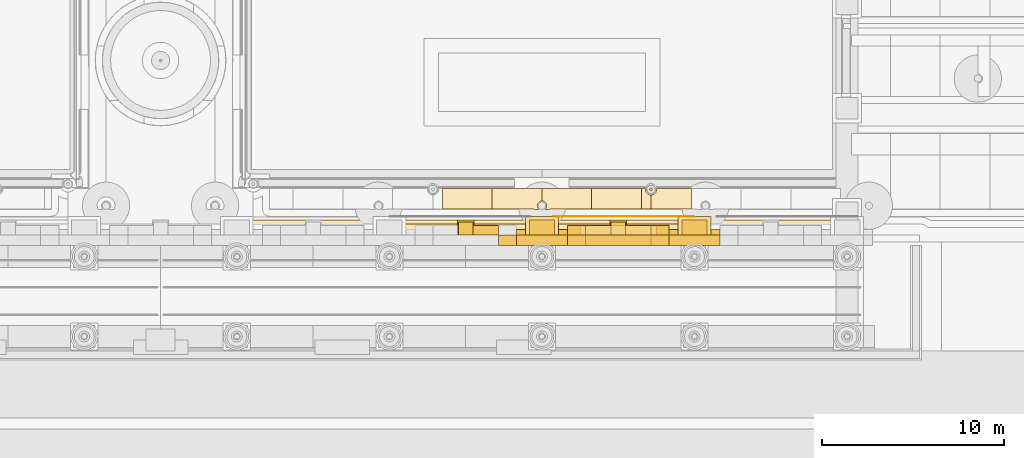
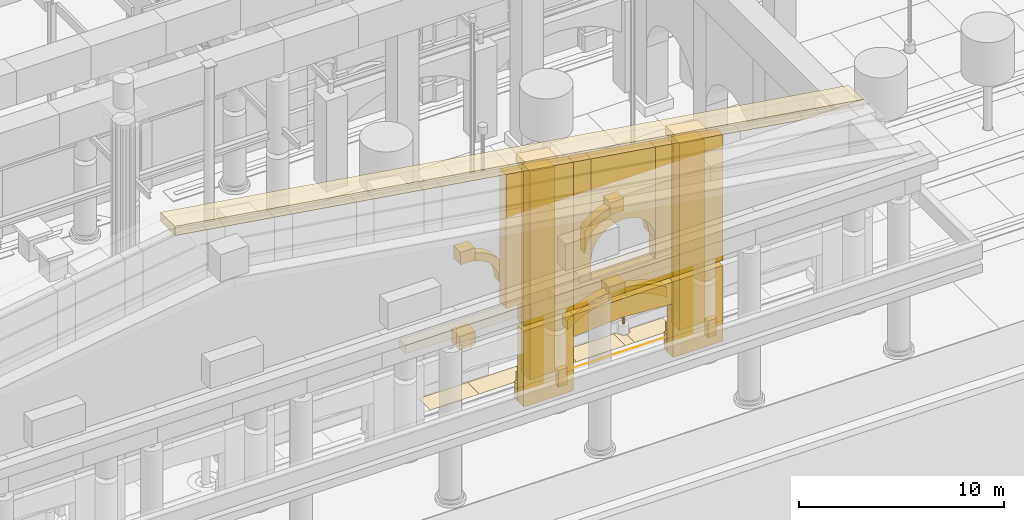
# One storey, part 127 of 222: 41 coverings.
"""IFC4 building model written with IfcOpenShell, lengths in metres."""

from ifc_helpers import new_model, si_unit, direction, frame, origin, origin_2d, place, context, subcontext, project, spatial, polyline, rectangle, circle, outline, extrude, material, layer, layer_set, type_object, element, save


model = new_model("IFC4")

# Units and contexts
model_context = context("Model", 3, precision=1e-05, world=origin(), true_north=direction((0.0, 1.0)))
body_context = subcontext(model_context, "Body", "Model", "MODEL_VIEW")
ifc_project = project(units=[si_unit("LENGTHUNIT", "METRE"), si_unit("AREAUNIT", "SQUARE_METRE"), si_unit("VOLUMEUNIT", "CUBIC_METRE"), si_unit("PLANEANGLEUNIT", "RADIAN"), si_unit("MASSUNIT", "GRAM", prefix="KILO")], contexts=[model_context])

# Site, building, storey
site_placement = place(None, origin())
site = spatial("IfcSite", under=ifc_project, at=site_placement, CompositionType="ELEMENT")
building_placement = place(site_placement, origin())
building = spatial("IfcBuilding", under=site, at=building_placement, Name="Sava Quay Ferry Terminal", CompositionType="ELEMENT")
storey_placement = place(building_placement, origin())
storey = spatial("IfcBuildingStorey", under=building, at=storey_placement, Name="L00", CompositionType="ELEMENT", Elevation=0.0)

# Coverings
ifc_material_1 = material(Name="Limestone Mutalj", Category="masonry")
ifc_layer_1 = layer(ifc_material_1, 0.60009765625)
ifc_layer_set_1 = layer_set([ifc_layer_1], Name="Limestone Mutalj")
covering_type_1 = type_object("IfcCoveringType", Name="Arcade spandrel 600", PredefinedType="CLADDING", material=ifc_layer_set_1)
covering_1_placement = place(storey_placement, frame((85.39990234375, 0.39990234375, 3.199951171875), z_axis=(0.0, 1.0, 0.0), x_axis=(0.0, 0.0, 1.0)))
element("IfcCovering", 1, at=covering_1_placement, inside=storey, type_object=covering_type_1, Name="Arcade spandrel", PredefinedType="CLADDING", context=body_context, shape_type="SweptSolid", body=[
    extrude(outline(polyline([(0.0, 0.0), (1.300048828125, 0.0), (1.300048828125, 5.60009765625), (0.0, 5.60009765625), (0.334228515625, 0.50048828125), (0.60009765625, 1.0400390625), (0.79345703125, 1.609619140625), (0.91064453125, 2.19970703125), (0.949951171875, 2.800048828125), (0.91064453125, 3.400390625), (0.79345703125, 3.990478515625), (0.60009765625, 4.560302734375), (0.334228515625, 5.099853515625), (0.0, 0.0)])), origin(), (0.0, 0.0, -1.0), 0.60009765625),
])
ifc_material_2 = material(Name="Limestone Mutalj", Category="masonry")
ifc_layer_2 = layer(ifc_material_2, 0.60009765625)
ifc_layer_set_2 = layer_set([ifc_layer_2], Name="Limestone Mutalj")
covering_type_2 = type_object("IfcCoveringType", Name="Arcade wall pier 2800", PredefinedType="CLADDING", material=ifc_layer_set_2)
for number, where, z_axis, x_axis, name in (
    (2, (84.0, 0.10009765625, 0.0), (0.0, 0.0, 1.0), (1.0, 0.0, 0.0), "Arcade wall pier"),
    (3, (92.39990234375, 0.10009765625, 0.0), (0.0, 0.0, 1.0), (1.0, 0.0, 0.0), "Arcade wall pier"),
):
    element("IfcCovering", number, at=place(storey_placement, frame(where, z_axis=z_axis, x_axis=x_axis)), inside=storey, type_object=covering_type_2, Name=name, PredefinedType="CLADDING", context=body_context, shape_type="SweptSolid", body=[
        extrude(rectangle(XDim=2.800048828125, YDim=0.60009765625, at=origin_2d()), origin(), (0.0, 0.0, 1.0), 4.5),
    ])
ifc_material_3 = material(Name="Limestone Mutalj", Category="masonry")
ifc_layer_3 = layer(ifc_material_3, 0.5)
ifc_layer_set_3 = layer_set([ifc_layer_3], Name="Limestone Mutalj")
covering_type_3 = type_object("IfcCoveringType", Name="Arch archivolt 500", PredefinedType="MOLDING", material=ifc_layer_set_3)
covering_2_placement = place(storey_placement, frame((85.39990234375, 0.39990234375, 3.199951171875), z_axis=(0.0, -1.0, 0.0), x_axis=(0.807262114097, 0.0, 0.590193086324)))
element("IfcCovering", 4, at=covering_2_placement, inside=storey, type_object=covering_type_3, Name="Arch archivolt", PredefinedType="MOLDING", context=body_context, shape_type="SweptSolid", body=[
    extrude(outline(polyline([(0.0, 0.0), (0.20807213303693342, 0.0), (0.40946312569333504, -0.008724756359381552), (0.6048553291412851, -0.02606827834192732), (0.7947191130804292, -0.05055987286725966), (0.9793045583559503, -0.08268480563038433), (1.159082034667494, -0.12097238355092349), (1.3343016228602433, -0.16590787232388304), (1.5050544176750553, -0.2169530108861486), (1.6715756039617524, -0.2733724526975312), (1.8339711724565528, -0.33584854893011096), (1.9922792225322041, -0.40350186293473334), (2.1470380152518214, -0.47642348945225554), (2.2977092895522895, -0.5545223337418203), (2.4448313064967238, -0.6378894905442849), (2.741224660639209, -0.23248466420227665), (2.5951112744575355, -0.14773790906029127), (2.44602499135569, -0.06747112452290827), (2.293283460161593, 0.008209698673655286), (2.1372808518293933, 0.07901638031146774), (1.9776229954049414, 0.14523710060846096), (1.8145599717334213, 0.20638659386962865), (1.6475535197517182, 0.26255595483582816), (1.476800724936906, 0.3136010933980936), (1.3020664024391628, 0.35878666301623635), (1.1232445615222704, 0.39879501486233637), (0.9401530127045152, 0.4325496268101647), (0.7522534949227826, 0.46014159360057844), (0.5596519989132898, 0.4808885640614975), (0.3618102636129225, 0.49488163293377874), (0.0, 0.0)])), origin(), (0.0, 0.0, -1.0), 0.5),
])
covering_3_placement = place(storey_placement, frame((88.64990234375, 0.39990234375, 4.1279296875), z_axis=(0.0, -1.0, 0.0), x_axis=(0.993307380301, 0.0, -0.115500858175)))
element("IfcCovering", 5, at=covering_3_placement, inside=storey, type_object=covering_type_3, Name="Arch archivolt", PredefinedType="MOLDING", context=body_context, shape_type="SweptSolid", body=[
    extrude(outline(polyline([(0.0, 0.0), (0.16910047517119814, 3.469446951953614e-18), (0.3386916034020246, -0.0063333722524431535), (0.5092865965134697, -0.019186226538567767), (0.6803722426845432, -0.03837245307713555), (0.8524617537362355, -0.06407816164938478), (1.025154711654367, -0.09708726921265261), (1.1988797329048202, -0.13685836549424574), (1.3734789061580595, -0.18414716899979858), (1.5487661216328463, -0.2394668915503016), (1.7251981942467658, -0.30251862955770537), (1.9024593013407467, -0.3748138200332787), (2.0810062578323745, -0.4560535593889721), (2.2605232410625775, -0.5477492846360541), (2.4415516613040493, -0.6503296122404072), (2.3707453490783825, -0.04139532709967292), (2.1917190189078077, 0.04396702589496604), (2.013922141231474, 0.12086984337877266), (1.8368415042283905, 0.18949923513298525), (1.66090572436444, 0.25039661143029707), (1.4856015898186314, 0.3037480820519464), (1.3113013201534418, 0.3505800706399143), (1.1375762989029885, 0.39035116692150745), (0.9645844373968073, 0.42381708940236024), (0.7925682423195425, 0.4510060365341754), (0.6210145018502029, 0.4721041180981913), (0.4503800309063738, 0.48741023768245734), (0.28017981611876747, 0.4968679983835679), (0.11089887085667155, 0.5005337971049285), (-0.05800421515260716, 0.4988362503124215), (0.0, 0.0)])), origin(), (0.0, 0.0, -1.0), 0.5),
])
ifc_material_4 = material(Name="Limestone Mutalj", Category="masonry")
ifc_layer_4 = layer(ifc_material_4, 0.800048828125)
ifc_layer_set_4 = layer_set([ifc_layer_4], Name="Limestone Mutalj")
covering_type_4 = type_object("IfcCoveringType", Name="Arch keystone 900", PredefinedType="CLADDING", material=ifc_layer_set_4)
for number, where, z_axis, x_axis, name in (
    (6, (79.800048828125, 0.800048828125, 4.14990234375), (0.0, 0.0, 1.0), (1.0, 0.0, 0.0), "Arch keystone"),
    (7, (88.199951171875, 0.800048828125, 4.14990234375), (0.0, 0.0, 1.0), (1.0, 0.0, 0.0), "Arch keystone"),
):
    element("IfcCovering", number, at=place(storey_placement, frame(where, z_axis=z_axis, x_axis=x_axis)), inside=storey, type_object=covering_type_4, Name=name, PredefinedType="CLADDING", context=body_context, shape_type="SweptSolid", body=[
        extrude(rectangle(XDim=0.89990234375, YDim=0.800048828125, at=origin_2d()), origin(), (0.0, 0.0, 1.0), 0.800048828125),
    ])
ifc_material_5 = material(Name="Limestone Mutalj", Category="masonry")
ifc_layer_5 = layer(ifc_material_5, 0.60009765625)
ifc_layer_set_5 = layer_set([ifc_layer_5], Name="Limestone Mutalj")
covering_type_5 = type_object("IfcCoveringType", Name="Attic arch head panel 600", PredefinedType="CLADDING", material=ifc_layer_set_5)
covering_4_placement = place(storey_placement, frame((86.39990234375, -0.199951171875, 7.39990234375), z_axis=(0.0, -1.0, 0.0), x_axis=(0.130360467782, 0.0, 0.991466665319)))
element("IfcCovering", 8, at=covering_4_placement, inside=storey, type_object=covering_type_5, Name="Attic arch head panel", PredefinedType="CLADDING", context=body_context, shape_type="SweptSolid", body=[
    extrude(outline(polyline([(0.0, 0.0), (0.47007576696975106, -6.938893903907228e-18), (0.9239096038088954, -0.12180908706656961), (1.330831494966846, -0.35690149367102364), (1.662879321966777, -0.689254396544689), (1.8978626823320743, -1.0961762877026398), (2.019343616297553, -1.5500332017691405), (2.019343616297553, -2.0201089687388913), (1.8975345292309835, -2.473942805578036), (1.6626841799178673, -2.8808328704499067), (1.330331277044202, -3.212880697449838), (0.9234093858862513, -3.447864057815135), (0.46931041452841277, -3.5693768180666936), (5.886794651958947, -2.8570727093212436), (5.970827205428668, 0.7850589987232034), (0.0, 0.0)])), origin(), (0.0, 0.0, -1.0), 0.60009765625),
])
ifc_material_6 = material(Name="Limestone Mutalj", Category="masonry")
ifc_layer_6 = layer(ifc_material_6, 0.60009765625)
ifc_layer_set_6 = layer_set([ifc_layer_6], Name="Limestone Mutalj")
covering_type_6 = type_object("IfcCoveringType", Name="Attic wall pier 2800", PredefinedType="CLADDING", material=ifc_layer_set_6)
covering_5_placement = place(storey_placement, frame((82.60009765625, -0.199951171875, 4.800048828125), z_axis=(0.0, -1.0, 0.0), x_axis=(1.0, 0.0, 0.0)))
element("IfcCovering", 9, at=covering_5_placement, inside=storey, type_object=covering_type_6, Name="Attic wall pier", PredefinedType="CLADDING", context=body_context, shape_type="SweptSolid", body=[
    extrude(outline(polyline([(0.0, 0.0), (2.7998046875, 0.0), (2.7998046875, 8.777099609375), (0.0, 9.211181640625), (0.0, 0.0)])), origin(), (0.0, 0.0, -1.0), 0.60009765625),
])
covering_6_placement = place(storey_placement, frame((91.0, -0.199951171875, 4.800048828125), z_axis=(0.0, -1.0, 0.0), x_axis=(1.0, 0.0, 0.0)))
element("IfcCovering", 10, at=covering_6_placement, inside=storey, type_object=covering_type_6, Name="Attic wall pier", PredefinedType="CLADDING", context=body_context, shape_type="SweptSolid", body=[
    extrude(outline(polyline([(0.0, 0.0), (2.800048828125, 0.0), (2.800048828125, 7.474853515625), (0.0, 7.908935546875), (0.0, 0.0)])), origin(), (0.0, 0.0, -1.0), 0.60009765625),
])
ifc_material_7 = material(Name="Limestone Mutalj", Category="masonry")
ifc_layer_7 = layer(ifc_material_7, 0.60009765625)
ifc_layer_set_7 = layer_set([ifc_layer_7], Name="Limestone Mutalj")
covering_type_7 = type_object("IfcCoveringType", Name="Attic window jamb panel 600", PredefinedType="CLADDING", material=ifc_layer_set_7)
covering_7_placement = place(storey_placement, frame((81.60009765625, -0.199951171875, 6.199951171875), z_axis=(0.0, -1.0, 0.0), x_axis=(1.0, 0.0, 0.0)))
element("IfcCovering", 11, at=covering_7_placement, inside=storey, type_object=covering_type_7, Name="Attic window jamb panel", PredefinedType="CLADDING", context=body_context, shape_type="SweptSolid", body=[
    extrude(outline(polyline([(0.0, 0.0), (1.0, 0.0), (1.0, 7.811279296875), (0.0, 7.96630859375), (0.0, 0.0)])), origin(), (0.0, 0.0, -1.0), 0.60009765625),
])
covering_8_placement = place(storey_placement, frame((85.39990234375, -0.199951171875, 6.199951171875), z_axis=(0.0, -1.0, 0.0), x_axis=(1.0, 0.0, 0.0)))
element("IfcCovering", 12, at=covering_8_placement, inside=storey, type_object=covering_type_7, Name="Attic window jamb panel", PredefinedType="CLADDING", context=body_context, shape_type="SweptSolid", body=[
    extrude(outline(polyline([(0.0, 0.0), (1.0, 0.0), (1.0, 7.22216796875), (0.0, 7.377197265625), (0.0, 0.0)])), origin(), (0.0, 0.0, -1.0), 0.60009765625),
])
covering_9_placement = place(storey_placement, frame((90.0, -0.199951171875, 6.199951171875), z_axis=(0.0, -1.0, 0.0), x_axis=(1.0, 0.0, 0.0)))
element("IfcCovering", 13, at=covering_9_placement, inside=storey, type_object=covering_type_7, Name="Attic window jamb panel", PredefinedType="CLADDING", context=body_context, shape_type="SweptSolid", body=[
    extrude(outline(polyline([(0.0, 0.0), (1.0, 0.0), (1.0, 6.509033203125), (0.0, 6.6640625), (0.0, 0.0)])), origin(), (0.0, 0.0, -1.0), 0.60009765625),
])
ifc_material_8 = material(Name="Limestone Mutalj", Category="masonry")
ifc_layer_8 = layer(ifc_material_8, 0.60009765625)
ifc_layer_set_8 = layer_set([ifc_layer_8], Name="Limestone Mutalj")
covering_type_8 = type_object("IfcCoveringType", Name="Attic window sill panel 600", PredefinedType="CLADDING", material=ifc_layer_set_8)
covering_10_placement = place(storey_placement, frame((85.39990234375, -0.199951171875, 4.800048828125), z_axis=(0.0, -1.0, 0.0), x_axis=(1.0, 0.0, 0.0)))
element("IfcCovering", 14, at=covering_10_placement, inside=storey, type_object=covering_type_8, Name="Attic window sill panel", PredefinedType="CLADDING", context=body_context, shape_type="SweptSolid", body=[
    extrude(outline(polyline([(0.0, 0.0), (5.60009765625, 0.0), (5.60009765625, 1.39990234375), (0.0, 1.39990234375), (0.0, 0.0)])), origin(), (0.0, 0.0, -1.0), 0.60009765625),
])
ifc_material_9 = material(Name="Limestone Mutalj", Category="masonry")
ifc_layer_9 = layer(ifc_material_9, 0.800048828125)
ifc_layer_set_9 = layer_set([ifc_layer_9], Name="Limestone Mutalj")
covering_type_9 = type_object("IfcCoveringType", Name="Back wall pilaster 800", PredefinedType="CLADDING", material=ifc_layer_set_9)
covering_11_placement = place(storey_placement, frame((83.300048828125, 0.39990234375, 1.0), z_axis=(0.0, -1.0, 0.0), x_axis=(1.0, 0.0, 0.0)))
element("IfcCovering", 15, at=covering_11_placement, inside=storey, type_object=covering_type_9, Name="Back wall pilaster", PredefinedType="CLADDING", context=body_context, shape_type="SweptSolid", body=[
    extrude(outline(polyline([(0.0, 0.0), (1.39990234375, 0.0), (1.39990234375, 12.185791015625), (0.0, 12.402587890625), (0.0, 0.0)])), origin(), (0.0, 0.0, -1.0), 0.800048828125),
])
covering_12_placement = place(storey_placement, frame((91.699951171875, 0.39990234375, 1.0), z_axis=(0.0, -1.0, 0.0), x_axis=(1.0, 0.0, 0.0)))
element("IfcCovering", 16, at=covering_12_placement, inside=storey, type_object=covering_type_9, Name="Back wall pilaster", PredefinedType="CLADDING", context=body_context, shape_type="SweptSolid", body=[
    extrude(outline(polyline([(0.0, 0.0), (1.400146484375, 0.0), (1.400146484375, 10.88330078125), (0.0, 11.100341796875), (0.0, 0.0)])), origin(), (0.0, 0.0, -1.0), 0.800048828125),
])
ifc_material_10 = material(Name="Limestone Mutalj", Category="masonry")
ifc_layer_10 = layer(ifc_material_10, 1.0)
ifc_layer_set_10 = layer_set([ifc_layer_10], Name="Limestone Mutalj")
covering_type_10 = type_object("IfcCoveringType", Name="Back wall pilaster base 1000", PredefinedType="MOLDING", material=ifc_layer_set_10)
for number, where, z_axis, x_axis, name in (
    (17, (84.0, 0.89990234375, 0.0), (0.0, 0.0, 1.0), (1.0, 0.0, 0.0), "Back wall pilaster base"),
    (18, (92.39990234375, 0.89990234375, 0.0), (0.0, 0.0, 1.0), (1.0, 0.0, 0.0), "Back wall pilaster base"),
):
    element("IfcCovering", number, at=place(storey_placement, frame(where, z_axis=z_axis, x_axis=x_axis)), inside=storey, type_object=covering_type_10, Name=name, PredefinedType="MOLDING", context=body_context, shape_type="SweptSolid", body=[
        extrude(rectangle(XDim=1.800048828125, YDim=1.0, at=origin_2d()), origin(), (0.0, 0.0, 1.0), 1.0),
    ])
ifc_material_11 = material(Name="Limestone Mutalj", Category="masonry")
ifc_layer_11 = layer(ifc_material_11, 1.0)
ifc_layer_set_11 = layer_set([ifc_layer_11], Name="Limestone Mutalj")
covering_type_11 = type_object("IfcCoveringType", Name="Back wall pilaster capital 1000", PredefinedType="MOLDING", material=ifc_layer_set_11)
covering_13_placement = place(storey_placement, frame((83.10009765625, 0.39990234375, 13.43359375), z_axis=(0.0, -1.0, 0.0), x_axis=(0.988213093649, 0.0, -0.15308455683)))
element("IfcCovering", 19, at=covering_13_placement, inside=storey, type_object=covering_type_11, Name="Back wall pilaster capital", PredefinedType="MOLDING", context=body_context, shape_type="SweptSolid", body=[
    extrude(outline(polyline([(0.0, 0.0), (1.8212718482137216, 0.0), (1.7447295697989282, 0.4941065468247433), (-0.07654227841479339, 0.4941065468247433), (0.0, 0.0)])), origin(), (0.0, 0.0, -1.0), 1.0),
])
covering_14_placement = place(storey_placement, frame((91.5, 0.39990234375, 12.13134765625), z_axis=(0.0, -1.0, 0.0), x_axis=(0.988195952481, 0.0, -0.153195168003)))
element("IfcCovering", 20, at=covering_14_placement, inside=storey, type_object=covering_type_11, Name="Back wall pilaster capital", PredefinedType="MOLDING", context=body_context, shape_type="SweptSolid", body=[
    extrude(outline(polyline([(0.0, 0.0), (1.8215504967462062, 0.0), (1.7449529127447014, 0.49409797624067686), (-0.07659758400150464, 0.49409797624067686), (0.0, 0.0)])), origin(), (0.0, 0.0, -1.0), 1.0),
])
ifc_material_12 = material(Name="Basalt setts", Category="masonry")
ifc_layer_12 = layer(ifc_material_12, 0.02001953125)
ifc_layer_set_12 = layer_set([ifc_layer_12], Name="Basalt setts")
covering_type_12 = type_object("IfcCoveringType", Name="Basalt inlay line 20", PredefinedType="FLOORING", material=ifc_layer_set_12)
covering_15_placement = place(storey_placement, frame((0.0, 0.0, 0.050048828125)))
element("IfcCovering", 21, at=covering_15_placement, inside=storey, type_object=covering_type_12, Name="Basalt inlay line", PredefinedType="FLOORING", context=body_context, shape_type="SweptSolid", body=[
    extrude(outline(polyline([(84.6240234375, 1.3798828125), (92.3759765625, 1.3798828125), (92.340087890625, 1.419921875), (84.659912109375, 1.419921875), (84.6240234375, 1.3798828125)])), origin(), (0.0, 0.0, 1.0), 0.02001953125),
])
ifc_material_13 = material(Name="Limestone Mutalj", Category="masonry")
ifc_layer_13 = layer(ifc_material_13, 0.030029296875)
ifc_layer_set_13 = layer_set([ifc_layer_13], Name="Limestone Mutalj")
covering_type_13 = type_object("IfcCoveringType", Name="Court paving tile 30", PredefinedType="FLOORING", material=ifc_layer_set_13)
covering_16_placement = place(storey_placement, origin())
element("IfcCovering", 22, at=covering_16_placement, inside=storey, type_object=covering_type_13, Name="Limestone paving tile", PredefinedType="FLOORING", context=body_context, shape_type="SweptSolid", body=[
    extrude(outline(polyline([(78.52001953125, 1.81005859375), (81.260009765625, 1.81005859375), (81.260009765625, 2.949951171875), (78.52001953125, 2.949951171875), (78.52001953125, 1.81005859375)])), origin(), (0.0, 0.0, 1.0), 0.030029296875),
])
covering_17_placement = place(storey_placement, origin())
element("IfcCovering", 23, at=covering_17_placement, inside=storey, type_object=covering_type_13, Name="Limestone paving tile", PredefinedType="FLOORING", context=body_context, shape_type="SweptSolid", body=[
    extrude(outline(polyline([(84.4580078125, 1.81005859375), (86.739990234375, 1.81005859375), (86.739990234375, 2.949951171875), (84.0, 2.949951171875), (84.0, 2.260009765625), (84.02490234375, 2.259033203125), (84.075927734375, 2.2490234375), (84.1220703125, 2.22998046875), (84.14501953125, 2.216064453125), (84.1650390625, 2.200927734375), (84.200927734375, 2.1650390625), (84.22900390625, 2.123046875), (84.2490234375, 2.075927734375), (84.2548828125, 2.051025390625), (84.259033203125, 2.02490234375), (84.260009765625, 2.0), (84.259033203125, 1.97509765625), (84.2548828125, 1.948974609375), (84.2490234375, 1.924072265625), (84.239990234375, 1.90087890625), (84.22900390625, 1.876953125), (84.200927734375, 1.8349609375), (84.166015625, 1.800048828125), (84.447021484375, 1.800048828125), (84.450927734375, 1.80810546875), (84.4580078125, 1.81005859375)])), origin(), (0.0, 0.0, 1.0), 0.030029296875),
])
covering_18_placement = place(storey_placement, origin())
element("IfcCovering", 24, at=covering_18_placement, inside=storey, type_object=covering_type_13, Name="Limestone paving tile", PredefinedType="FLOORING", context=body_context, shape_type="SweptSolid", body=[
    extrude(outline(polyline([(89.47998046875, 2.949951171875), (89.47998046875, 1.81005859375), (90.0, 1.81005859375), (90.0, 2.590087890625), (89.968994140625, 2.592041015625), (89.93896484375, 2.595947265625), (89.881103515625, 2.614013671875), (89.85302734375, 2.626953125), (89.826904296875, 2.64306640625), (89.802978515625, 2.660888671875), (89.780029296875, 2.680908203125), (89.760009765625, 2.7041015625), (89.741943359375, 2.72802734375), (89.72607421875, 2.75390625), (89.712890625, 2.781982421875), (89.702880859375, 2.81005859375), (89.69091796875, 2.8701171875), (89.68994140625, 2.89990234375), (89.695068359375, 2.949951171875), (89.47998046875, 2.949951171875)])), origin(), (0.0, 0.0, 1.0), 0.030029296875),
])
covering_19_placement = place(storey_placement, origin())
element("IfcCovering", 25, at=covering_19_placement, inside=storey, type_object=covering_type_13, Name="Limestone paving tile", PredefinedType="FLOORING", context=body_context, shape_type="SweptSolid", body=[
    extrude(outline(polyline([(90.0, 2.590087890625), (90.0, 1.81005859375), (92.219970703125, 1.81005859375), (92.219970703125, 2.949951171875), (90.305908203125, 2.949951171875), (90.30908203125, 2.929931640625), (90.31005859375, 2.89990234375), (90.30810546875, 2.868896484375), (90.303955078125, 2.839111328125), (90.285888671875, 2.781005859375), (90.27294921875, 2.7529296875), (90.257080078125, 2.72705078125), (90.239013671875, 2.702880859375), (90.218994140625, 2.679931640625), (90.196044921875, 2.659912109375), (90.172119140625, 2.64208984375), (90.14599609375, 2.6259765625), (90.117919921875, 2.613037109375), (90.090087890625, 2.60302734375), (90.030029296875, 2.591064453125), (90.0, 2.590087890625)])), origin(), (0.0, 0.0, 1.0), 0.030029296875),
])
ifc_material_14 = material(Name="Red sandstone Vrsac", Category="masonry")
ifc_layer_14 = layer(ifc_material_14, 0.030029296875)
ifc_layer_set_14 = layer_set([ifc_layer_14], Name="Red sandstone Vrsac")
covering_type_14 = type_object("IfcCoveringType", Name="Court paving tile sandstone 30", PredefinedType="FLOORING", material=ifc_layer_set_14)
covering_20_placement = place(storey_placement, origin())
element("IfcCovering", 26, at=covering_20_placement, inside=storey, type_object=covering_type_14, Name="Sandstone paving tile", PredefinedType="FLOORING", context=body_context, shape_type="SweptSolid", body=[
    extrude(outline(polyline([(83.97509765625, 2.259033203125), (84.0, 2.260009765625), (84.0, 2.949951171875), (81.260009765625, 2.949951171875), (81.260009765625, 1.81005859375), (83.5419921875, 1.81005859375), (83.548095703125, 1.80810546875), (83.552978515625, 1.800048828125), (83.833984375, 1.800048828125), (83.799072265625, 1.8349609375), (83.783935546875, 1.85595703125), (83.77099609375, 1.876953125), (83.7509765625, 1.924072265625), (83.7451171875, 1.948974609375), (83.740966796875, 1.97509765625), (83.739990234375, 2.0), (83.740966796875, 2.02490234375), (83.7451171875, 2.051025390625), (83.7509765625, 2.075927734375), (83.77099609375, 2.123046875), (83.783935546875, 2.14404296875), (83.799072265625, 2.1650390625), (83.8349609375, 2.200927734375), (83.85498046875, 2.216064453125), (83.8779296875, 2.22998046875), (83.90087890625, 2.239990234375), (83.924072265625, 2.2490234375), (83.97509765625, 2.259033203125)])), origin(), (0.0, 0.0, 1.0), 0.030029296875),
])
covering_21_placement = place(storey_placement, origin())
element("IfcCovering", 27, at=covering_21_placement, inside=storey, type_object=covering_type_14, Name="Sandstone paving tile", PredefinedType="FLOORING", context=body_context, shape_type="SweptSolid", body=[
    extrude(outline(polyline([(86.739990234375, 1.81005859375), (89.47998046875, 1.81005859375), (89.47998046875, 2.949951171875), (86.739990234375, 2.949951171875), (86.739990234375, 1.81005859375)])), origin(), (0.0, 0.0, 1.0), 0.030029296875),
])
ifc_material_15 = material(Name="Limestone Mutalj", Category="masonry")
ifc_layer_15 = layer(ifc_material_15, 1.39990234375)
ifc_layer_set_15 = layer_set([ifc_layer_15], Name="Limestone Mutalj")
covering_type_15 = type_object("IfcCoveringType", Name="Eaves cornice band 1400", PredefinedType="MOLDING", material=ifc_layer_set_15)
covering_22_placement = place(storey_placement, frame((63.0, -0.199951171875, 17.050048828125), z_axis=(0.0, -1.0, 0.0), x_axis=(0.988193878379, 0.0, -0.153208546542)))
element("IfcCovering", 28, at=covering_22_placement, inside=storey, type_object=covering_type_15, Name="Eaves cornice band", PredefinedType="MOLDING", context=body_context, shape_type="SweptSolid", body=[
    extrude(outline(polyline([(0.0, 0.0), (39.162306120879926, -8.881784197001252e-16), (39.078033939395944, 0.5435548847629059), (-0.08427218148398066, 0.5435548847629067), (0.0, 0.0)])), origin(), (0.0, 0.0, -1.0), 1.39990234375),
])
ifc_material_16 = material(Name="Limestone Mutalj", Category="masonry")
ifc_layer_16 = layer(ifc_material_16, 0.60009765625)
ifc_layer_set_16 = layer_set([ifc_layer_16], Name="Limestone Mutalj")
covering_type_16 = type_object("IfcCoveringType", Name="Face string course 600", PredefinedType="MOLDING", material=ifc_layer_set_16)
for number, where, z_axis, x_axis, name in (
    (29, (79.800048828125, 0.699951171875, 5.0), (0.0, 0.0, 1.0), (1.0, 0.0, 0.0), "Face string course"),
    (30, (88.199951171875, 0.699951171875, 5.0), (0.0, 0.0, 1.0), (1.0, 0.0, 0.0), "Face string course"),
):
    element("IfcCovering", number, at=place(storey_placement, frame(where, z_axis=z_axis, x_axis=x_axis)), inside=storey, type_object=covering_type_16, Name=name, PredefinedType="MOLDING", context=body_context, shape_type="SweptSolid", body=[
        extrude(rectangle(XDim=7.0, YDim=0.60009765625, at=origin_2d()), origin(), (0.0, 0.0, 1.0), 0.5),
    ])
ifc_material_17 = material(Name="Steel S355", Category="steel")
ifc_layer_17 = layer(ifc_material_17, 0.159912109375)
ifc_layer_set_17 = layer_set([ifc_layer_17], Name="Steel S355")
covering_type_17 = type_object("IfcCoveringType", Name="Lamp standard column 160", PredefinedType="CLADDING", material=ifc_layer_set_17)
covering_23_placement = place(storey_placement, frame((90.0, 2.89990234375, 3.550048828125), z_axis=(0.0, 0.0, -1.0), x_axis=(1.0, 0.0, 0.0)))
element("IfcCovering", 31, at=covering_23_placement, inside=storey, type_object=covering_type_17, Name="Lamp standard column", PredefinedType="CLADDING", context=body_context, shape_type="SweptSolid", body=[
    extrude(circle(Radius=0.080078125, at=origin_2d()), origin(), (0.0, 0.0, 1.0), 3.050048828125),
])
ifc_material_18 = material(Name="Limestone Mutalj", Category="masonry")
ifc_layer_18 = layer(ifc_material_18, 0.300048828125)
ifc_layer_set_18 = layer_set([ifc_layer_18], Name="Limestone Mutalj")
covering_type_18 = type_object("IfcCoveringType", Name="Pier rustication block 300", PredefinedType="CLADDING", material=ifc_layer_set_18)
for number, where, z_axis, x_axis, name in (
    (32, (82.85009765625, 0.550048828125, 0.0), (0.0, 0.0, 1.0), (1.0, 0.0, 0.0), "Pier rustication block"),
    (33, (85.14990234375, 0.550048828125, 0.0), (0.0, 0.0, 1.0), (1.0, 0.0, 0.0), "Pier rustication block"),
    (34, (91.25, 0.550048828125, 0.0), (0.0, 0.0, 1.0), (1.0, 0.0, 0.0), "Pier rustication block"),
    (35, (93.550048828125, 0.550048828125, 0.0), (0.0, 0.0, 1.0), (1.0, 0.0, 0.0), "Pier rustication block"),
):
    element("IfcCovering", number, at=place(storey_placement, frame(where, z_axis=z_axis, x_axis=x_axis)), inside=storey, type_object=covering_type_18, Name=name, PredefinedType="CLADDING", context=body_context, shape_type="SweptSolid", body=[
        extrude(rectangle(XDim=0.5, YDim=0.300048828125, at=origin_2d()), origin(), (0.0, 0.0, 1.0), 1.0),
    ])
ifc_material_19 = material(Name="Limestone Mutalj", Category="masonry")
ifc_layer_19 = layer(ifc_material_19, 0.5)
ifc_layer_set_19 = layer_set([ifc_layer_19], Name="Limestone Mutalj")
covering_type_19 = type_object("IfcCoveringType", Name="Window archivolt 450", PredefinedType="MOLDING", material=ifc_layer_set_19)
covering_24_placement = place(storey_placement, frame((80.199951171875, 0.39990234375, 9.155029296875), z_axis=(0.0, -1.0, 0.0), x_axis=(0.968166647099, 0.0, -0.250306499006)))
element("IfcCovering", 36, at=covering_24_placement, inside=storey, type_object=covering_type_19, Name="Window archivolt", PredefinedType="MOLDING", context=body_context, shape_type="SweptSolid", body=[
    extrude(outline(polyline([(0.0, 0.0), (0.10338887065559549, 3.469446951953614e-18), (0.20806912212858697, -0.005970330243282702), (0.3146968219949552, -0.01849787719061112), (0.423096711429482, -0.03788011963742112), (0.5332157515771674, -0.06488727399980251), (0.6456489000288829, -0.09986985792819128), (0.7603511890597372, -0.14460467306509403), (0.8780397962308196, -0.19991497468160066), (0.9991505625680017, -0.2684619296764165), (1.1242415490673723, -0.35337944256890097), (1.2553132429773082, -0.46045451364701), (1.3946428560070567, -0.6004459593456741), (1.5498529940350156, -0.8008867105029287), (1.7948948101730857, -1.3487896128408021), (1.4569565925207628, -0.041670091732761094), (1.3290626178364908, 0.05311380120834647), (1.2050796821991896, 0.132770090288529), (1.084571944582988, 0.19995994240649212), (0.9665777874863608, 0.2564520880746335), (0.8511421786341996, 0.30402332893545964), (0.7374868304803056, 0.34373328907038747), (0.6256647818796794, 0.3763521848955068), (0.5157901816724297, 0.4024138640165803), (0.40720696228257613, 0.4225052128943712), (0.3003267513456635, 0.43698482030942415), (0.1945545912708202, 0.4462032039121753), (0.09006574088326413, 0.45045784249806037), (-0.012903431006677638, 0.44980984605218843), (-0.11494788198987689, 0.4446097322249955), (0.0, 0.0)])), origin(), (0.0, 0.0, -1.0), 0.5),
])
covering_25_placement = place(storey_placement, frame((86.39990234375, 0.39990234375, 7.39990234375), z_axis=(0.0, -1.0, 0.0), x_axis=(0.166773131648, 0.0, 0.985995295405)))
element("IfcCovering", 37, at=covering_25_placement, inside=storey, type_object=covering_type_19, Name="Window archivolt", PredefinedType="MOLDING", context=body_context, shape_type="SweptSolid", body=[
    extrude(outline(polyline([(0.0, 0.0), (0.600202534188676, 0.0), (0.8465444521066302, -0.05985266199298514), (1.0312209479651981, -0.12988792320633322), (1.1824778703546248, -0.205823443353896), (1.3110662549267451, -0.28534555507361514), (1.423085571566425, -0.3679177989659783), (1.5216244837767443, -0.4527701442675981), (1.6092902120454475, -0.5392139924082746), (1.6871270745963916, -0.627567922016967), (1.7567386897900579, -0.7170654774021836), (1.8186879328349692, -0.8081066693860715), (1.8736562521575328, -0.9003286281711811), (1.9218436531688226, -0.993449916153252), (1.964053732585027, -1.0878298280578367), (2.4168508885069504, -1.0112428503647721), (2.3799366822594235, -0.9159671843351223), (2.3384894834628147, -0.8217058456484231), (2.2919464169086012, -0.728058823482528), (2.2403481986933778, -0.635266839345104), (2.183494823406071, -0.5436113308404124), (2.120823415838158, -0.4526922871463064), (2.0521746866751602, -0.3630318673747142), (1.9767450392008878, -0.2742707768000832), (1.894093746496601, -0.18673116912326815), (1.803539360135892, -0.10077591414171799), (1.7037968403872368, -0.01612714932306758), (1.5932625688901534, 0.06644866964119167), (1.4699293413901169, 0.14710725699364308), (1.3311899373993823, 0.22516001416408696), (0.0, 0.0)])), origin(), (0.0, 0.0, -1.0), 0.5),
])
covering_26_placement = place(storey_placement, frame((88.60009765625, 0.39990234375, 9.155029296875), z_axis=(0.0, -1.0, 0.0), x_axis=(0.96801818973, 0.0, -0.250880019832)))
element("IfcCovering", 38, at=covering_26_placement, inside=storey, type_object=covering_type_19, Name="Window archivolt", PredefinedType="MOLDING", context=body_context, shape_type="SweptSolid", body=[
    extrude(outline(polyline([(0.0, 0.0), (0.10315251994676819, 3.469446951953614e-18), (0.20807262258043546, -0.005847064141461848), (0.31447139278382313, -0.018372690131625777), (0.42288274569347745, -0.03769071052666015), (0.5332540987580718, -0.06457137302896335), (0.6454716194214378, -0.09954859277508149), (0.760436722849173, -0.14415419771629584), (0.8779217439289405, -0.19945601812569885), (0.9990730978457054, -0.2679312122179804), (1.1244507020965597, -0.3527133533540602), (1.2553494742366984, -0.4597720056850839), (1.39499832961571, -0.5996196346647147), (1.5500908536683904, -0.8000296505073374), (1.7954572174044825, -1.3477872881477784), (1.4567446906289003, -0.040868198985391124), (1.3287945861746873, 0.05383990991647902), (1.2050008145962063, 0.1334839846086534), (1.0842169607084928, 0.20054118330582205), (0.9664256896045159, 0.25702466654448575), (0.8507255861186783, 0.304466262275926), (0.7370467327926224, 0.3441088833342452), (0.6254417121776752, 0.37672277742184185), (0.5153153591324484, 0.40265810966073645), (0.4069565887741206, 0.42274637775816915), (0.2998314859661457, 0.4371014142703084), (0.19405388326469214, 0.44625713433370034), (0.08979886323077019, 0.450511120519039), (-0.013406239267324524, 0.4497408728166407), (-0.1152112591075714, 0.4445415563678934), (0.0, 0.0)])), origin(), (0.0, 0.0, -1.0), 0.5),
])
ifc_material_20 = material(Name="Limestone Mutalj", Category="masonry")
ifc_layer_20 = layer(ifc_material_20, 0.699951171875)
ifc_layer_set_20 = layer_set([ifc_layer_20], Name="Limestone Mutalj")
covering_type_20 = type_object("IfcCoveringType", Name="Window keystone 800", PredefinedType="CLADDING", material=ifc_layer_set_20)
for number, where, z_axis, x_axis, name in (
    (39, (79.800048828125, 0.75, 9.199951171875), (0.0, 0.0, 1.0), (1.0, 0.0, 0.0), "Window keystone"),
    (40, (88.199951171875, 0.75, 9.199951171875), (0.0, 0.0, 1.0), (1.0, 0.0, 0.0), "Window keystone"),
):
    element("IfcCovering", number, at=place(storey_placement, frame(where, z_axis=z_axis, x_axis=x_axis)), inside=storey, type_object=covering_type_20, Name=name, PredefinedType="CLADDING", context=body_context, shape_type="SweptSolid", body=[
        extrude(rectangle(XDim=0.800048828125, YDim=0.699951171875, at=origin_2d()), origin(), (0.0, 0.0, 1.0), 0.75),
    ])
ifc_material_21 = material(Name="Limestone Mutalj", Category="masonry")
ifc_layer_21 = layer(ifc_material_21, 0.5)
ifc_layer_set_21 = layer_set([ifc_layer_21], Name="Limestone Mutalj")
covering_type_21 = type_object("IfcCoveringType", Name="Window sill band 400", PredefinedType="MOLDING", material=ifc_layer_set_21)
covering_27_placement = place(storey_placement, frame((88.199951171875, 0.64990234375, 5.800048828125), z_axis=(0.0, 0.0, 1.0), x_axis=(1.0, 0.0, 0.0)))
element("IfcCovering", 41, at=covering_27_placement, inside=storey, type_object=covering_type_21, Name="Window sill band", PredefinedType="MOLDING", context=body_context, shape_type="SweptSolid", body=[
    extrude(rectangle(XDim=4.199951171875, YDim=0.5, at=origin_2d()), origin(), (0.0, 0.0, 1.0), 0.39990234375),
])

save(model, "model.ifc")
